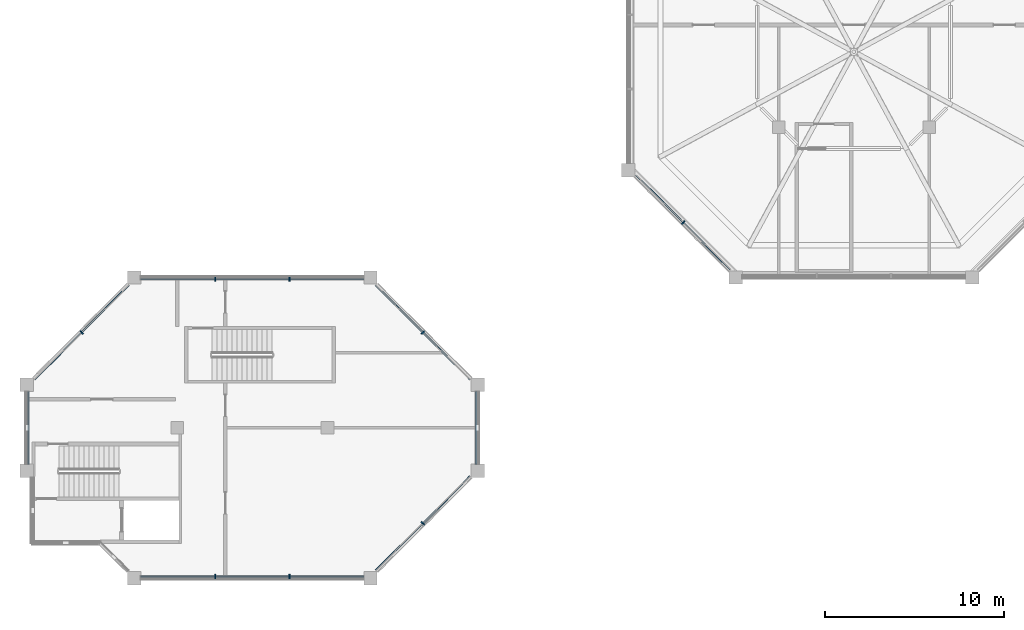
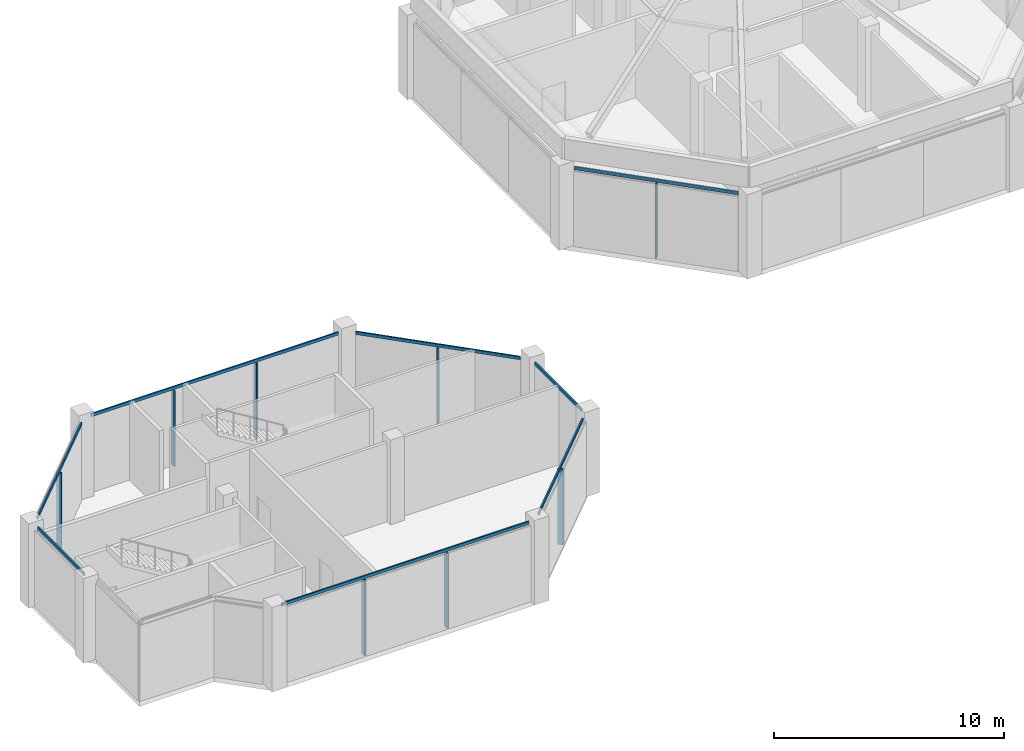
# One storey, part 2 of 9: 16 members, 8 elements without a shape of their own.
"""IFC4 building model written with IfcOpenShell, lengths in metres."""

from ifc_helpers import new_model, si_unit, direction, frame, origin, origin_2d, place, context, subcontext, project, spatial, rectangle, extrude, material, layer, layer_set, material_profile, profile_set, type_object, element, aggregate, save


model = new_model("IFC4")

# Units and contexts
model_context = context("Model", 3, precision=1e-05, world=origin(), true_north=direction((0.0, 1.0)))
body_context = subcontext(model_context, "Body", "Model", "MODEL_VIEW")
ifc_project = project(units=[si_unit("LENGTHUNIT", "METRE"), si_unit("AREAUNIT", "SQUARE_METRE"), si_unit("VOLUMEUNIT", "CUBIC_METRE"), si_unit("PLANEANGLEUNIT", "RADIAN"), si_unit("MASSUNIT", "GRAM", prefix="KILO")], contexts=[model_context])

# Site, building, storey
site_placement = place(None, origin())
site = spatial("IfcSite", under=ifc_project, at=site_placement, CompositionType="ELEMENT")
building_placement = place(site_placement, origin())
building = spatial("IfcBuilding", under=site, at=building_placement, Name="Kawkab Arch Medical Tower", CompositionType="ELEMENT")
storey_placement = place(building_placement, frame((0.0, 0.0, 350.199951171875)))
storey = spatial("IfcBuildingStorey", under=building, at=storey_placement, Name="L81", CompositionType="ELEMENT", Elevation=350.199951171875)

# Curtain wall, member
ifc_material_1 = material(Name="Bronze anodised aluminium curtain wall frame", Category="aluminium")
ifc_layer = layer(ifc_material_1, 0.159912109375)
ifc_layer_set = layer_set([ifc_layer], Name="Bronze anodised aluminium curtain wall frame")
curtain_wall_type = type_object("IfcCurtainWallType", Name="CW6 helipad lobby and crown glazing", PredefinedType="NOTDEFINED", material=ifc_layer_set)
placement = place(storey_placement, origin())
curtain_wall_1 = element("IfcCurtainWall", 1, at=placement, inside=storey, type_object=curtain_wall_type, Name="CW6 Helipad lobby and crown glazing R05", PredefinedType="NOTDEFINED")
ifc_material_2 = material(Name="Bronze anodised aluminium curtain wall frame", Category="aluminium")
ifc_material_profile_1 = material_profile(ifc_material_2, rectangle(XDim=0.239990234375, YDim=0.070068359375, at=origin_2d()), Name="AL 70x240")
ifc_profile_set_1 = profile_set([ifc_material_profile_1], Name="Bronze anodised aluminium curtain wall frame")
member_type_1 = type_object("IfcMemberType", Name="CW6 mullion 70 x 240", PredefinedType="MULLION", material=ifc_profile_set_1)
member_1_placement = place(storey_placement, frame((36.670654296875, -22.12939453125, 0.0), z_axis=(0.0, 0.0, 1.0), x_axis=(0.707106781187, 0.707106781187, 0.0)))
member_1 = element("IfcMember", 2, at=member_1_placement, type_object=member_type_1, Name="CW6 mullion 1.1", PredefinedType="MULLION", context=body_context, shape_type="SweptSolid", body=[
    extrude(rectangle(XDim=0.239990234375, YDim=0.070068359375, at=origin_2d()), origin(), (0.0, 0.0, 1.0), 3.989990234375),
])

curtain_wall_2 = element("IfcCurtainWall", 3, at=placement, inside=storey, type_object=curtain_wall_type, Name="CW6 Helipad lobby and crown glazing R09", PredefinedType="NOTDEFINED")
member_2_placement = place(storey_placement, frame((22.12939453125, -28.270751953125, 0.0), z_axis=(0.0, 0.0, 1.0), x_axis=(-0.707106781187, -0.707106781187, 0.0)))
member_2 = element("IfcMember", 4, at=member_2_placement, type_object=member_type_1, Name="CW6 mullion 1.1", PredefinedType="MULLION", context=body_context, shape_type="SweptSolid", body=[
    extrude(rectangle(XDim=0.239990234375, YDim=0.070068359375, at=origin_2d()), origin(), (0.0, 0.0, 1.0), 4.0400390625),
])

# Curtain wall, members
curtain_wall_3 = element("IfcCurtainWall", 5, at=placement, inside=storey, type_object=curtain_wall_type, Name="CW6 Helipad lobby and crown glazing R10", PredefinedType="NOTDEFINED")
member_3_placement = place(storey_placement, frame((14.675048828125, -25.300048828125, 0.0), z_axis=(0.0, 0.0, 1.0), x_axis=(0.0, -1.0, 0.0)))
member_3 = element("IfcMember", 6, at=member_3_placement, type_object=member_type_1, Name="CW6 mullion 1.1", PredefinedType="MULLION", context=body_context, shape_type="SweptSolid", body=[
    extrude(rectangle(XDim=0.239990234375, YDim=0.070068359375, at=origin_2d()), origin(), (0.0, 0.0, 1.0), 4.0400390625),
])
member_4_placement = place(storey_placement, frame((10.52490234375, -25.300048828125, 0.0), z_axis=(0.0, 0.0, 1.0), x_axis=(0.0, -1.0, 0.0)))
member_4 = element("IfcMember", 7, at=member_4_placement, type_object=member_type_1, Name="CW6 mullion 1.2", PredefinedType="MULLION", context=body_context, shape_type="SweptSolid", body=[
    extrude(rectangle(XDim=0.239990234375, YDim=0.070068359375, at=origin_2d()), origin(), (0.0, 0.0, 1.0), 4.0400390625),
])

# Curtain wall, member
curtain_wall_4 = element("IfcCurtainWall", 8, at=placement, inside=storey, type_object=curtain_wall_type, Name="CW6 Helipad lobby and crown glazing R11", PredefinedType="NOTDEFINED")
member_5_placement = place(storey_placement, frame((3.07080078125, -28.270751953125, 0.0), z_axis=(0.0, 0.0, 1.0), x_axis=(0.707106781187, -0.707106781187, 0.0)))
member_5 = element("IfcMember", 9, at=member_5_placement, type_object=member_type_1, Name="CW6 mullion 1.1", PredefinedType="MULLION", context=body_context, shape_type="SweptSolid", body=[
    extrude(rectangle(XDim=0.239990234375, YDim=0.070068359375, at=origin_2d()), origin(), (0.0, 0.0, 1.0), 4.0400390625),
])

# Curtain wall, members
curtain_wall_5 = element("IfcCurtainWall", 10, at=placement, inside=storey, type_object=curtain_wall_type, Name="CW6 Helipad lobby and crown glazing R17", PredefinedType="NOTDEFINED")
member_6_placement = place(storey_placement, frame((10.52490234375, -41.89990234375, 0.0), z_axis=(0.0, 0.0, 1.0), x_axis=(0.0, 1.0, 0.0)))
member_6 = element("IfcMember", 11, at=member_6_placement, type_object=member_type_1, Name="CW6 mullion 1.1", PredefinedType="MULLION", context=body_context, shape_type="SweptSolid", body=[
    extrude(rectangle(XDim=0.239990234375, YDim=0.070068359375, at=origin_2d()), origin(), (0.0, 0.0, 1.0), 4.0400390625),
])
member_7_placement = place(storey_placement, frame((14.675048828125, -41.89990234375, 0.0), z_axis=(0.0, 0.0, 1.0), x_axis=(0.0, 1.0, 0.0)))
member_7 = element("IfcMember", 12, at=member_7_placement, type_object=member_type_1, Name="CW6 mullion 1.2", PredefinedType="MULLION", context=body_context, shape_type="SweptSolid", body=[
    extrude(rectangle(XDim=0.239990234375, YDim=0.070068359375, at=origin_2d()), origin(), (0.0, 0.0, 1.0), 4.0400390625),
])

# Curtain wall, member
curtain_wall_6 = element("IfcCurtainWall", 13, at=placement, inside=storey, type_object=curtain_wall_type, Name="CW6 Helipad lobby and crown glazing R18", PredefinedType="NOTDEFINED")
member_8_placement = place(storey_placement, frame((22.12939453125, -38.92919921875, 0.0), z_axis=(0.0, 0.0, 1.0), x_axis=(-0.707106781187, 0.707106781187, 0.0)))
member_8 = element("IfcMember", 14, at=member_8_placement, type_object=member_type_1, Name="CW6 mullion 1.1", PredefinedType="MULLION", context=body_context, shape_type="SweptSolid", body=[
    extrude(rectangle(XDim=0.239990234375, YDim=0.070068359375, at=origin_2d()), origin(), (0.0, 0.0, 1.0), 4.0400390625),
])

# Member
ifc_material_3 = material(Name="Bronze anodised aluminium curtain wall frame", Category="aluminium")
ifc_material_profile_2 = material_profile(ifc_material_3, rectangle(XDim=0.070068359375, YDim=0.159912109375, at=origin_2d()), Name="AL 70x160")
ifc_profile_set_2 = profile_set([ifc_material_profile_2], Name="Bronze anodised aluminium curtain wall frame")
member_type_2 = type_object("IfcMemberType", Name="CW6 transom 160 x 70", PredefinedType="USERDEFINED", material=ifc_profile_set_2)
member_9_placement = place(storey_placement, frame((34.045654296875, -19.50439453125, 4.070068359375), z_axis=(0.707106781187, -0.707106781187, 0.0), x_axis=(0.707106781187, 0.707106781187, 0.0)))
member_9 = element("IfcMember", 15, at=member_9_placement, type_object=member_type_2, Name="CW6 transom 1", ObjectType="TRANSOM", PredefinedType="USERDEFINED", context=body_context, shape_type="SweptSolid", body=[
    extrude(rectangle(XDim=0.070068359375, YDim=0.159912109375, at=origin_2d()), origin(), (0.0, 0.0, 1.0), 7.424560546875),
])

aggregate(curtain_wall_1, [member_9, member_1])

member_10_placement = place(storey_placement, frame((24.75439453125, -30.895751953125, 4.1201171875), z_axis=(-0.707123221898, 0.707090340093, 0.0), x_axis=(-0.707090340093, -0.707123221898, 0.0)))
member_10 = element("IfcMember", 16, at=member_10_placement, type_object=member_type_2, Name="CW6 transom 1", ObjectType="TRANSOM", PredefinedType="USERDEFINED", context=body_context, shape_type="SweptSolid", body=[
    extrude(rectangle(XDim=0.070068359375, YDim=0.159912109375, at=origin_2d()), origin(), (0.0, 0.0, 1.0), 7.4248046875),
])

aggregate(curtain_wall_2, [member_10, member_2])

member_11_placement = place(storey_placement, frame((18.824951171875, -25.300048828125, 4.1201171875), z_axis=(-1.0, 0.0, 0.0), x_axis=(0.0, -1.0, 0.0)))
member_11 = element("IfcMember", 17, at=member_11_placement, type_object=member_type_2, Name="CW6 transom 1", ObjectType="TRANSOM", PredefinedType="USERDEFINED", context=body_context, shape_type="SweptSolid", body=[
    extrude(rectangle(XDim=0.070068359375, YDim=0.159912109375, at=origin_2d()), origin(), (0.0, 0.0, 1.0), 12.449951171875),
])

aggregate(curtain_wall_3, [member_11, member_3, member_4])

member_12_placement = place(storey_placement, frame((5.69580078125, -25.645751953125, 4.1201171875), z_axis=(-0.707123221898, -0.707090340093, 0.0), x_axis=(0.707090340093, -0.707123221898, 0.0)))
member_12 = element("IfcMember", 18, at=member_12_placement, type_object=member_type_2, Name="CW6 transom 1", ObjectType="TRANSOM", PredefinedType="USERDEFINED", context=body_context, shape_type="SweptSolid", body=[
    extrude(rectangle(XDim=0.070068359375, YDim=0.159912109375, at=origin_2d()), origin(), (0.0, 0.0, 1.0), 7.4248046875),
])

aggregate(curtain_wall_4, [member_12, member_5])

# Curtain wall, member
curtain_wall_7 = element("IfcCurtainWall", 19, at=placement, inside=storey, type_object=curtain_wall_type, Name="CW6 Helipad lobby and crown glazing R12", PredefinedType="NOTDEFINED")
member_13_placement = place(storey_placement, frame((0.10009765625, -31.574951171875, 4.1201171875), z_axis=(0.0, -1.0, 0.0), x_axis=(1.0, 0.0, 0.0)))
member_13 = element("IfcMember", 20, at=member_13_placement, type_object=member_type_2, Name="CW6 transom 1", ObjectType="TRANSOM", PredefinedType="USERDEFINED", context=body_context, shape_type="SweptSolid", body=[
    extrude(rectangle(XDim=0.070068359375, YDim=0.159912109375, at=origin_2d()), origin(), (0.0, 0.0, 1.0), 4.050048828125),
])
aggregate(curtain_wall_7, [member_13])

# Member
member_14_placement = place(storey_placement, frame((6.375, -41.89990234375, 4.1201171875), z_axis=(1.0, 0.0, 0.0), x_axis=(0.0, 1.0, 0.0)))
member_14 = element("IfcMember", 21, at=member_14_placement, type_object=member_type_2, Name="CW6 transom 1", ObjectType="TRANSOM", PredefinedType="USERDEFINED", context=body_context, shape_type="SweptSolid", body=[
    extrude(rectangle(XDim=0.070068359375, YDim=0.159912109375, at=origin_2d()), origin(), (0.0, 0.0, 1.0), 12.449951171875),
])

aggregate(curtain_wall_5, [member_14, member_6, member_7])

member_15_placement = place(storey_placement, frame((19.50439453125, -41.55419921875, 4.1201171875), z_axis=(0.707106781187, 0.707106781187, 0.0), x_axis=(-0.707106781187, 0.707106781187, 0.0)))
member_15 = element("IfcMember", 22, at=member_15_placement, type_object=member_type_2, Name="CW6 transom 1", ObjectType="TRANSOM", PredefinedType="USERDEFINED", context=body_context, shape_type="SweptSolid", body=[
    extrude(rectangle(XDim=0.070068359375, YDim=0.159912109375, at=origin_2d()), origin(), (0.0, 0.0, 1.0), 7.424560546875),
])

aggregate(curtain_wall_6, [member_15, member_8])

# Curtain wall, member
curtain_wall_8 = element("IfcCurtainWall", 23, at=placement, inside=storey, type_object=curtain_wall_type, Name="CW6 Helipad lobby and crown glazing R19", PredefinedType="NOTDEFINED")
member_16_placement = place(storey_placement, frame((25.10009765625, -35.625, 4.1201171875), z_axis=(0.0, 1.0, 0.0), x_axis=(-1.0, 0.0, 0.0)))
member_16 = element("IfcMember", 24, at=member_16_placement, type_object=member_type_2, Name="CW6 transom 1", ObjectType="TRANSOM", PredefinedType="USERDEFINED", context=body_context, shape_type="SweptSolid", body=[
    extrude(rectangle(XDim=0.070068359375, YDim=0.159912109375, at=origin_2d()), origin(), (0.0, 0.0, 1.0), 4.050048828125),
])
aggregate(curtain_wall_8, [member_16])

save(model, "model.ifc")
